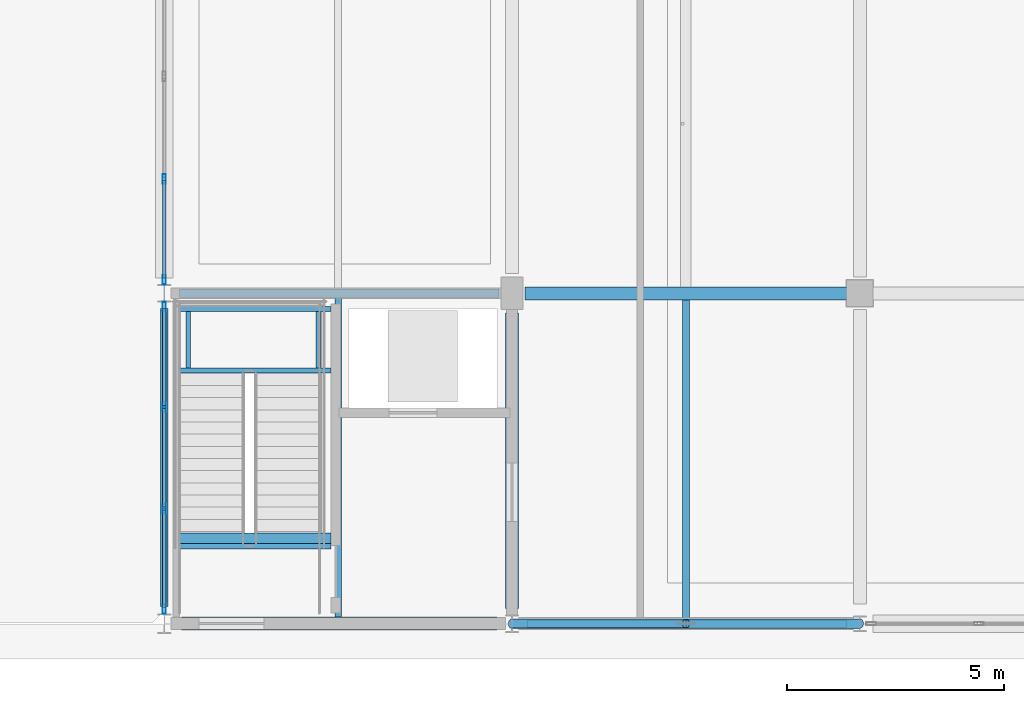
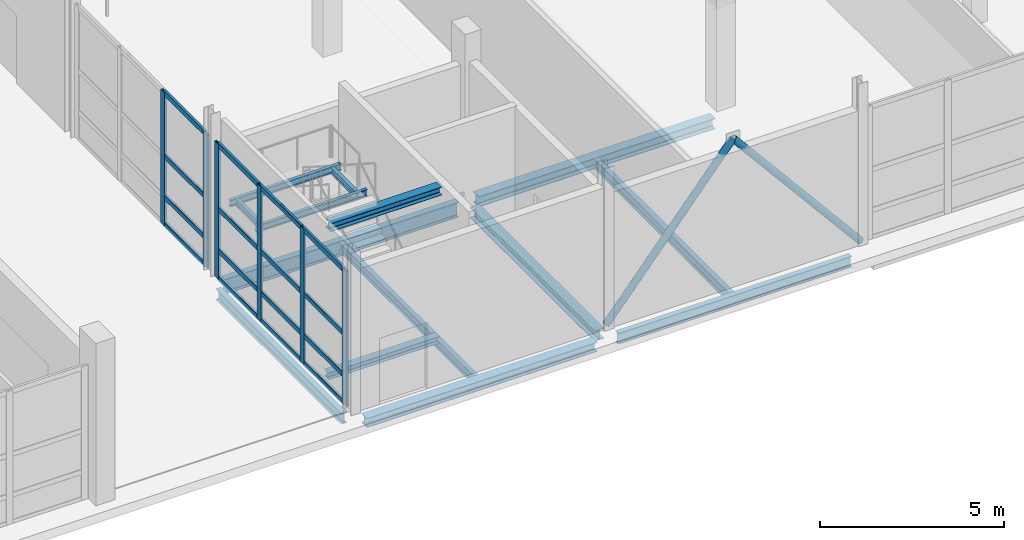
# One storey, part 30 of 126: 24 members, 14 beams, 2 elements without a shape of their own.
"""IFC4 building model written with IfcOpenShell, lengths in metres."""

from ifc_helpers import new_model, si_unit, direction, frame, origin, origin_2d, place, context, subcontext, project, spatial, hollow_rectangle, hollow_circle, i_section, extrude, material, material_profile, profile_set, type_object, element, aggregate, save


model = new_model("IFC4")

# Units and contexts
model_context = context("Model", 3, precision=1e-05, world=origin(), true_north=direction((0.0, 1.0)))
body_context = subcontext(model_context, "Body", "Model", "MODEL_VIEW")
ifc_project = project(units=[si_unit("LENGTHUNIT", "METRE"), si_unit("AREAUNIT", "SQUARE_METRE"), si_unit("VOLUMEUNIT", "CUBIC_METRE"), si_unit("PLANEANGLEUNIT", "RADIAN"), si_unit("MASSUNIT", "GRAM", prefix="KILO")], contexts=[model_context])

# Site, building, storey
site_placement = place(None, origin())
site = spatial("IfcSite", under=ifc_project, at=site_placement, CompositionType="ELEMENT")
building_placement = place(site_placement, origin())
building = spatial("IfcBuilding", under=site, at=building_placement, Name="Khelvaren Railside Concert Hall", CompositionType="ELEMENT")
storey_placement = place(building_placement, origin())
storey = spatial("IfcBuildingStorey", under=building, at=storey_placement, Name="L00", CompositionType="ELEMENT", Elevation=0.0)

# Beams
ifc_material_1 = material(Name="Steel S355", Category="steel")
ifc_material_profile_1 = material_profile(ifc_material_1, i_section(OverallWidth=0.239990234375, OverallDepth=0.22998046875, WebThickness=0.007568359375, FlangeThickness=0.011962890625, FilletRadius=0.02099609375, at=origin_2d()), Name="HEA 240")
ifc_profile_set_1 = profile_set([ifc_material_profile_1], Name="Steel S355")
beam_type_1 = type_object("IfcBeamType", Name="BM42", PredefinedType="BEAM", material=ifc_profile_set_1)
beam_1_placement = place(storey_placement, frame((144.344970703125, 1.960693359375, -0.114990234375), z_axis=(1.0, 0.0, 0.0), x_axis=(0.0, 1.0, 0.0)))
element("IfcBeam", 1, at=beam_1_placement, inside=storey, type_object=beam_type_1, Name="ST-03 L00 Stair Foot Trimmer Beam", PredefinedType="BEAM", context=body_context, shape_type="SweptSolid", body=[
    extrude(i_section(OverallWidth=0.239990234375, OverallDepth=0.22998046875, WebThickness=0.007568359375, FlangeThickness=0.011962890625, FilletRadius=0.02099609375, at=origin_2d()), origin(), (0.0, 0.0, 1.0), 3.4951171875),
])
ifc_material_profile_2 = material_profile(ifc_material_1, i_section(OverallWidth=0.199951171875, OverallDepth=0.5, WebThickness=0.01025390625, FlangeThickness=0.01611328125, FilletRadius=0.02099609375, at=origin_2d()), Name="IPE 500")
ifc_profile_set_2 = profile_set([ifc_material_profile_2], Name="Steel S355")
beam_type_2 = type_object("IfcBeamType", Name="BM62", PredefinedType="BEAM", material=ifc_profile_set_2)
beam_2_placement = place(storey_placement, frame((144.35009765625, 7.60009765625, -0.570068359375), z_axis=(1.0, 0.0, 0.0), x_axis=(0.0, 1.0, 0.0)))
element("IfcBeam", 2, at=beam_2_placement, inside=storey, type_object=beam_type_2, Name="V2 L00 Beam X2.1", PredefinedType="BEAM", context=body_context, shape_type="SweptSolid", body=[
    extrude(i_section(OverallWidth=0.199951171875, OverallDepth=0.5, WebThickness=0.01025390625, FlangeThickness=0.01611328125, FilletRadius=0.02099609375, at=origin_2d()), origin(), (0.0, 0.0, 1.0), 7.349853515625),
])
ifc_material_profile_3 = material_profile(ifc_material_1, i_section(OverallWidth=0.300048828125, OverallDepth=0.35009765625, WebThickness=0.010009765625, FlangeThickness=0.017578125, FilletRadius=0.027099609375, at=origin_2d()), Name="HEA 360")
ifc_profile_set_3 = profile_set([ifc_material_profile_3], Name="Steel S355")
beam_type_3 = type_object("IfcBeamType", Name="BM73", PredefinedType="BEAM", material=ifc_profile_set_3)
beam_3_placement = place(storey_placement, frame((152.300048828125, 7.60009765625, -0.4951171875), z_axis=(1.0, 0.0, 0.0), x_axis=(0.0, 1.0, 0.0)))
element("IfcBeam", 3, at=beam_3_placement, inside=storey, type_object=beam_type_3, Name="V2 L00 Beam X2.2", PredefinedType="BEAM", context=body_context, shape_type="SweptSolid", body=[
    extrude(i_section(OverallWidth=0.300048828125, OverallDepth=0.35009765625, WebThickness=0.010009765625, FlangeThickness=0.017578125, FilletRadius=0.027099609375, at=origin_2d()), origin(), (0.0, 0.0, 1.0), 7.449951171875),
])
beam_4_placement = place(storey_placement, frame((152.0, 0.35009765625, -0.4951171875), z_axis=(0.0, 1.0, 0.0), x_axis=(-1.0, 0.0, 0.0)))
element("IfcBeam", 4, at=beam_4_placement, inside=storey, type_object=beam_type_3, Name="V2 L00 Beam Y2.1", PredefinedType="BEAM", context=body_context, shape_type="SweptSolid", body=[
    extrude(i_section(OverallWidth=0.300048828125, OverallDepth=0.35009765625, WebThickness=0.010009765625, FlangeThickness=0.017578125, FilletRadius=0.027099609375, at=origin_2d()), origin(), (0.0, 0.0, 1.0), 6.7998046875),
])
ifc_material_profile_4 = material_profile(ifc_material_1, i_section(OverallWidth=0.110107421875, OverallDepth=0.219970703125, WebThickness=0.005859375, FlangeThickness=0.00927734375, FilletRadius=0.011962890625, at=origin_2d()), Name="IPE 220")
ifc_profile_set_4 = profile_set([ifc_material_profile_4], Name="Steel S355")
beam_type_4 = type_object("IfcBeamType", Name="BM87", PredefinedType="BEAM", material=ifc_profile_set_4)
for number, where, z_axis, x_axis, name in (
    (5, (144.344970703125, 5.824951171875, 2.389892578125), (1.0, 0.0, 0.0), (0.0, 1.0, 0.0), "ST-03 L00 Half-Landing Front Beam"),
    (6, (144.344970703125, 7.239990234375, 2.389892578125), (1.0, 0.0, 0.0), (0.0, 1.0, 0.0), "ST-03 L00 Half-Landing Rear Beam"),
):
    element("IfcBeam", number, at=place(storey_placement, frame(where, z_axis=z_axis, x_axis=x_axis)), inside=storey, type_object=beam_type_4, Name=name, PredefinedType="BEAM", context=body_context, shape_type="SweptSolid", body=[
        extrude(i_section(OverallWidth=0.110107421875, OverallDepth=0.219970703125, WebThickness=0.005859375, FlangeThickness=0.00927734375, FilletRadius=0.011962890625, at=origin_2d()), origin(), (0.0, 0.0, 1.0), 3.4951171875),
    ])
for number, where, z_axis, x_axis, name in (
    (7, (144.550048828125, 5.8798828125, 2.389892578125), (0.0, 1.0, 0.0), (-1.0, 0.0, 0.0), "ST-03 L00 Half-Landing Side Tie W"),
    (8, (147.550048828125, 5.8798828125, 2.389892578125), (0.0, 1.0, 0.0), (-1.0, 0.0, 0.0), "ST-03 L00 Half-Landing Side Tie E"),
):
    element("IfcBeam", number, at=place(storey_placement, frame(where, z_axis=z_axis, x_axis=x_axis)), inside=storey, type_object=beam_type_4, Name=name, PredefinedType="BEAM", context=body_context, shape_type="SweptSolid", body=[
        extrude(i_section(OverallWidth=0.110107421875, OverallDepth=0.219970703125, WebThickness=0.005859375, FlangeThickness=0.00927734375, FilletRadius=0.011962890625, at=origin_2d()), origin(), (0.0, 0.0, 1.0), 1.30517578125),
    ])
ifc_material_profile_5 = material_profile(ifc_material_1, i_section(OverallWidth=0.280029296875, OverallDepth=0.27001953125, WebThickness=0.008056640625, FlangeThickness=0.012939453125, FilletRadius=0.02392578125, at=origin_2d()), Name="HEA 280")
ifc_profile_set_5 = profile_set([ifc_material_profile_5], Name="Steel S355")
beam_type_5 = type_object("IfcBeamType", Name="BM93", PredefinedType="BEAM", material=ifc_profile_set_5)
beam_5_placement = place(storey_placement, frame((144.344970703125, 1.860107421875, 4.90673828125), z_axis=(1.0, 0.0, 0.0), x_axis=(0.0, 1.0, 0.0)))
element("IfcBeam", 9, at=beam_5_placement, inside=storey, type_object=beam_type_5, Name="ST-03 L00 Stair Top Arrival Trimmer Beam", PredefinedType="BEAM", context=body_context, shape_type="SweptSolid", body=[
    extrude(i_section(OverallWidth=0.280029296875, OverallDepth=0.27001953125, WebThickness=0.008056640625, FlangeThickness=0.012939453125, FilletRadius=0.02392578125, at=origin_2d()), origin(), (0.0, 0.0, 1.0), 3.4951171875),
])

# Members
ifc_material_profile_6 = material_profile(ifc_material_1, hollow_circle(Radius=0.109619140625, WallThickness=0.012451171875, at=origin_2d()), Name="CHS 219.1x12.5")
ifc_profile_set_6 = profile_set([ifc_material_profile_6], Name="Steel S355")
member_type_1 = type_object("IfcMemberType", Name="BR37", PredefinedType="BRACE", material=ifc_profile_set_6)
for number, where, z_axis, x_axis, name in (
    (10, (152.0, 0.0, 0.050048828125), (0.640180556359, 0.0, 0.768224482335), (0.0, 1.0, 0.0), "V2 L00 Seismic Chevron Brace 49"),
    (11, (160.0, 0.0, 0.050048828125), (-0.640180556359, 0.0, 0.768224482335), (0.0, -1.0, 0.0), "V2 L00 Seismic Chevron Brace 50"),
):
    element("IfcMember", number, at=place(storey_placement, frame(where, z_axis=z_axis, x_axis=x_axis)), inside=storey, type_object=member_type_1, Name=name, PredefinedType="BRACE", context=body_context, shape_type="SweptSolid", body=[
        extrude(hollow_circle(Radius=0.109619140625, WallThickness=0.012451171875, at=origin_2d()), origin(), (0.0, 0.0, 1.0), 6.248291015625),
    ])

# Curtain wall, members
ifc_material_2 = material(Name="Triple-glazed solar-control glass", Category="glass")
curtain_wall_type_1 = type_object("IfcCurtainWallType", Name="CW80", PredefinedType="USERDEFINED", material=ifc_material_2)
curtain_wall_1_placement = place(storey_placement, origin())
curtain_wall_1 = element("IfcCurtainWall", 12, at=curtain_wall_1_placement, inside=storey, type_object=curtain_wall_type_1, Name="Unitised Curtain Wall CW-V2-L00-W-0", ObjectType="UNITISED CURTAIN WALL", PredefinedType="USERDEFINED")
ifc_material_3 = material(Name="Anodised architectural aluminium 6063-T6", Category="aluminium")
ifc_material_profile_7 = material_profile(ifc_material_3, hollow_rectangle(XDim=0.074951171875, YDim=0.219970703125, WallThickness=0.0048828125, InnerFilletRadius=0.0029296875, OuterFilletRadius=0.0048828125, at=origin_2d()), Name="CWM 75x220x5")
ifc_profile_set_7 = profile_set([ifc_material_profile_7], Name="Anodised architectural aluminium 6063-T6")
member_type_2 = type_object("IfcMemberType", Name="CWM13", PredefinedType="MULLION", material=ifc_profile_set_7)
member_1_placement = place(storey_placement, frame((144.0, 0.3349609375, 0.0), z_axis=(0.0, 0.0, 1.0), x_axis=(-1.0, 0.0, 0.0)))
member_1 = element("IfcMember", 13, at=member_1_placement, type_object=member_type_2, Name="CW80 mullion 1", PredefinedType="MULLION", context=body_context, shape_type="SweptSolid", body=[
    extrude(hollow_rectangle(XDim=0.074951171875, YDim=0.219970703125, WallThickness=0.0048828125, InnerFilletRadius=0.0029296875, OuterFilletRadius=0.0048828125, at=origin_2d()), origin(), (0.0, 0.0, 1.0), 4.489990234375),
])
member_2_placement = place(storey_placement, frame((144.0, 2.640869140625, 0.0), z_axis=(0.0, 0.0, 1.0), x_axis=(-1.0, 0.0, 0.0)))
member_2 = element("IfcMember", 14, at=member_2_placement, type_object=member_type_2, Name="CW80 mullion 2", PredefinedType="MULLION", context=body_context, shape_type="SweptSolid", body=[
    extrude(hollow_rectangle(XDim=0.074951171875, YDim=0.219970703125, WallThickness=0.0048828125, InnerFilletRadius=0.0029296875, OuterFilletRadius=0.0048828125, at=origin_2d()), origin(), (0.0, 0.0, 1.0), 4.489990234375),
])
member_3_placement = place(storey_placement, frame((144.0, 4.984130859375, 0.0), z_axis=(0.0, 0.0, 1.0), x_axis=(-1.0, 0.0, 0.0)))
member_3 = element("IfcMember", 15, at=member_3_placement, type_object=member_type_2, Name="CW80 mullion 3", PredefinedType="MULLION", context=body_context, shape_type="SweptSolid", body=[
    extrude(hollow_rectangle(XDim=0.074951171875, YDim=0.219970703125, WallThickness=0.0048828125, InnerFilletRadius=0.0029296875, OuterFilletRadius=0.0048828125, at=origin_2d()), origin(), (0.0, 0.0, 1.0), 4.489990234375),
])
member_4_placement = place(storey_placement, frame((144.0, 7.2900390625, 0.0), z_axis=(0.0, 0.0, 1.0), x_axis=(-1.0, 0.0, 0.0)))
member_4 = element("IfcMember", 16, at=member_4_placement, type_object=member_type_2, Name="CW80 mullion 4", PredefinedType="MULLION", context=body_context, shape_type="SweptSolid", body=[
    extrude(hollow_rectangle(XDim=0.074951171875, YDim=0.219970703125, WallThickness=0.0048828125, InnerFilletRadius=0.0029296875, OuterFilletRadius=0.0048828125, at=origin_2d()), origin(), (0.0, 0.0, 1.0), 4.489990234375),
])

curtain_wall_type_2 = type_object("IfcCurtainWallType", Name="CW41", PredefinedType="USERDEFINED", material=ifc_material_2)
curtain_wall_2_placement = place(storey_placement, origin())
curtain_wall_2 = element("IfcCurtainWall", 17, at=curtain_wall_2_placement, inside=storey, type_object=curtain_wall_type_2, Name="Unitised Curtain Wall CW-V2-L00-W-8", ObjectType="UNITISED CURTAIN WALL", PredefinedType="USERDEFINED")
member_5_placement = place(storey_placement, frame((144.0, 7.909912109375, 0.0), z_axis=(0.0, 0.0, 1.0), x_axis=(-1.0, 0.0, 0.0)))
member_5 = element("IfcMember", 18, at=member_5_placement, type_object=member_type_2, Name="CW41 mullion 1", PredefinedType="MULLION", context=body_context, shape_type="SweptSolid", body=[
    extrude(hollow_rectangle(XDim=0.074951171875, YDim=0.219970703125, WallThickness=0.0048828125, InnerFilletRadius=0.0029296875, OuterFilletRadius=0.0048828125, at=origin_2d()), origin(), (0.0, 0.0, 1.0), 4.43994140625),
])
member_6_placement = place(storey_placement, frame((144.0, 10.230712890625, 0.0), z_axis=(0.0, 0.0, 1.0), x_axis=(-1.0, 0.0, 0.0)))
member_6 = element("IfcMember", 19, at=member_6_placement, type_object=member_type_2, Name="CW41 mullion 2", PredefinedType="MULLION", context=body_context, shape_type="SweptSolid", body=[
    extrude(hollow_rectangle(XDim=0.074951171875, YDim=0.219970703125, WallThickness=0.0048828125, InnerFilletRadius=0.0029296875, OuterFilletRadius=0.0048828125, at=origin_2d()), origin(), (0.0, 0.0, 1.0), 4.43994140625),
])

# Member
ifc_material_profile_8 = material_profile(ifc_material_3, hollow_rectangle(XDim=0.074951171875, YDim=0.1650390625, WallThickness=0.00390625, InnerFilletRadius=0.001953125, OuterFilletRadius=0.00390625, at=origin_2d()), Name="CWT 75x165x4")
ifc_profile_set_8 = profile_set([ifc_material_profile_8], Name="Anodised architectural aluminium 6063-T6")
member_type_3 = type_object("IfcMemberType", Name="CWT46", PredefinedType="USERDEFINED", material=ifc_profile_set_8)
member_7_placement = place(storey_placement, frame((144.0, 0.37255859375, 0.03759765625), z_axis=(0.0, 1.0, 0.0), x_axis=(-1.0, 0.0, 0.0)))
member_7 = element("IfcMember", 20, at=member_7_placement, type_object=member_type_3, Name="CW80 transom 1.1", ObjectType="TRANSOM", PredefinedType="USERDEFINED", context=body_context, shape_type="SweptSolid", body=[
    extrude(hollow_rectangle(XDim=0.074951171875, YDim=0.1650390625, WallThickness=0.00390625, InnerFilletRadius=0.001953125, OuterFilletRadius=0.00390625, at=origin_2d()), origin(), (0.0, 0.0, 1.0), 2.230712890625),
])

member_8_placement = place(storey_placement, frame((144.0, 0.37255859375, 0.949951171875), z_axis=(0.0, 1.0, 0.0), x_axis=(-1.0, 0.0, 0.0)))
member_8 = element("IfcMember", 21, at=member_8_placement, type_object=member_type_3, Name="CW80 transom 1.2", ObjectType="TRANSOM", PredefinedType="USERDEFINED", context=body_context, shape_type="SweptSolid", body=[
    extrude(hollow_rectangle(XDim=0.074951171875, YDim=0.1650390625, WallThickness=0.00390625, InnerFilletRadius=0.001953125, OuterFilletRadius=0.00390625, at=origin_2d()), origin(), (0.0, 0.0, 1.0), 2.230712890625),
])

member_9_placement = place(storey_placement, frame((144.0, 0.37255859375, 2.334716796875), z_axis=(0.0, 1.0, 0.0), x_axis=(-1.0, 0.0, 0.0)))
member_9 = element("IfcMember", 22, at=member_9_placement, type_object=member_type_3, Name="CW80 transom 1.3", ObjectType="TRANSOM", PredefinedType="USERDEFINED", context=body_context, shape_type="SweptSolid", body=[
    extrude(hollow_rectangle(XDim=0.074951171875, YDim=0.1650390625, WallThickness=0.00390625, InnerFilletRadius=0.001953125, OuterFilletRadius=0.00390625, at=origin_2d()), origin(), (0.0, 0.0, 1.0), 2.230712890625),
])

member_10_placement = place(storey_placement, frame((144.0, 0.37255859375, 4.452392578125), z_axis=(0.0, 1.0, 0.0), x_axis=(-1.0, 0.0, 0.0)))
member_10 = element("IfcMember", 23, at=member_10_placement, type_object=member_type_3, Name="CW80 transom 1.4", ObjectType="TRANSOM", PredefinedType="USERDEFINED", context=body_context, shape_type="SweptSolid", body=[
    extrude(hollow_rectangle(XDim=0.074951171875, YDim=0.1650390625, WallThickness=0.00390625, InnerFilletRadius=0.001953125, OuterFilletRadius=0.00390625, at=origin_2d()), origin(), (0.0, 0.0, 1.0), 2.230712890625),
])

member_11_placement = place(storey_placement, frame((144.0, 2.67822265625, 0.03759765625), z_axis=(0.0, 1.0, 0.0), x_axis=(-1.0, 0.0, 0.0)))
member_11 = element("IfcMember", 24, at=member_11_placement, type_object=member_type_3, Name="CW80 transom 2.1", ObjectType="TRANSOM", PredefinedType="USERDEFINED", context=body_context, shape_type="SweptSolid", body=[
    extrude(hollow_rectangle(XDim=0.074951171875, YDim=0.1650390625, WallThickness=0.00390625, InnerFilletRadius=0.001953125, OuterFilletRadius=0.00390625, at=origin_2d()), origin(), (0.0, 0.0, 1.0), 2.2685546875),
])

member_12_placement = place(storey_placement, frame((144.0, 2.67822265625, 0.949951171875), z_axis=(0.0, 1.0, 0.0), x_axis=(-1.0, 0.0, 0.0)))
member_12 = element("IfcMember", 25, at=member_12_placement, type_object=member_type_3, Name="CW80 transom 2.2", ObjectType="TRANSOM", PredefinedType="USERDEFINED", context=body_context, shape_type="SweptSolid", body=[
    extrude(hollow_rectangle(XDim=0.074951171875, YDim=0.1650390625, WallThickness=0.00390625, InnerFilletRadius=0.001953125, OuterFilletRadius=0.00390625, at=origin_2d()), origin(), (0.0, 0.0, 1.0), 2.2685546875),
])

member_13_placement = place(storey_placement, frame((144.0, 2.67822265625, 2.334716796875), z_axis=(0.0, 1.0, 0.0), x_axis=(-1.0, 0.0, 0.0)))
member_13 = element("IfcMember", 26, at=member_13_placement, type_object=member_type_3, Name="CW80 transom 2.3", ObjectType="TRANSOM", PredefinedType="USERDEFINED", context=body_context, shape_type="SweptSolid", body=[
    extrude(hollow_rectangle(XDim=0.074951171875, YDim=0.1650390625, WallThickness=0.00390625, InnerFilletRadius=0.001953125, OuterFilletRadius=0.00390625, at=origin_2d()), origin(), (0.0, 0.0, 1.0), 2.2685546875),
])

member_14_placement = place(storey_placement, frame((144.0, 2.67822265625, 4.452392578125), z_axis=(0.0, 1.0, 0.0), x_axis=(-1.0, 0.0, 0.0)))
member_14 = element("IfcMember", 27, at=member_14_placement, type_object=member_type_3, Name="CW80 transom 2.4", ObjectType="TRANSOM", PredefinedType="USERDEFINED", context=body_context, shape_type="SweptSolid", body=[
    extrude(hollow_rectangle(XDim=0.074951171875, YDim=0.1650390625, WallThickness=0.00390625, InnerFilletRadius=0.001953125, OuterFilletRadius=0.00390625, at=origin_2d()), origin(), (0.0, 0.0, 1.0), 2.2685546875),
])

member_15_placement = place(storey_placement, frame((144.0, 5.021728515625, 0.03759765625), z_axis=(0.0, 1.0, 0.0), x_axis=(-1.0, 0.0, 0.0)))
member_15 = element("IfcMember", 28, at=member_15_placement, type_object=member_type_3, Name="CW80 transom 3.1", ObjectType="TRANSOM", PredefinedType="USERDEFINED", context=body_context, shape_type="SweptSolid", body=[
    extrude(hollow_rectangle(XDim=0.074951171875, YDim=0.1650390625, WallThickness=0.00390625, InnerFilletRadius=0.001953125, OuterFilletRadius=0.00390625, at=origin_2d()), origin(), (0.0, 0.0, 1.0), 2.230712890625),
])

member_16_placement = place(storey_placement, frame((144.0, 5.021728515625, 0.949951171875), z_axis=(0.0, 1.0, 0.0), x_axis=(-1.0, 0.0, 0.0)))
member_16 = element("IfcMember", 29, at=member_16_placement, type_object=member_type_3, Name="CW80 transom 3.2", ObjectType="TRANSOM", PredefinedType="USERDEFINED", context=body_context, shape_type="SweptSolid", body=[
    extrude(hollow_rectangle(XDim=0.074951171875, YDim=0.1650390625, WallThickness=0.00390625, InnerFilletRadius=0.001953125, OuterFilletRadius=0.00390625, at=origin_2d()), origin(), (0.0, 0.0, 1.0), 2.230712890625),
])

member_17_placement = place(storey_placement, frame((144.0, 5.021728515625, 2.334716796875), z_axis=(0.0, 1.0, 0.0), x_axis=(-1.0, 0.0, 0.0)))
member_17 = element("IfcMember", 30, at=member_17_placement, type_object=member_type_3, Name="CW80 transom 3.3", ObjectType="TRANSOM", PredefinedType="USERDEFINED", context=body_context, shape_type="SweptSolid", body=[
    extrude(hollow_rectangle(XDim=0.074951171875, YDim=0.1650390625, WallThickness=0.00390625, InnerFilletRadius=0.001953125, OuterFilletRadius=0.00390625, at=origin_2d()), origin(), (0.0, 0.0, 1.0), 2.230712890625),
])

member_18_placement = place(storey_placement, frame((144.0, 5.021728515625, 4.452392578125), z_axis=(0.0, 1.0, 0.0), x_axis=(-1.0, 0.0, 0.0)))
member_18 = element("IfcMember", 31, at=member_18_placement, type_object=member_type_3, Name="CW80 transom 3.4", ObjectType="TRANSOM", PredefinedType="USERDEFINED", context=body_context, shape_type="SweptSolid", body=[
    extrude(hollow_rectangle(XDim=0.074951171875, YDim=0.1650390625, WallThickness=0.00390625, InnerFilletRadius=0.001953125, OuterFilletRadius=0.00390625, at=origin_2d()), origin(), (0.0, 0.0, 1.0), 2.230712890625),
])

aggregate(curtain_wall_1, [member_1, member_2, member_3, member_4, member_7, member_8, member_9, member_10, member_11, member_12, member_13, member_14, member_15, member_16, member_17, member_18])

member_19_placement = place(storey_placement, frame((144.0, 7.947509765625, 0.03759765625), z_axis=(0.0, 1.0, 0.0), x_axis=(-1.0, 0.0, 0.0)))
member_19 = element("IfcMember", 32, at=member_19_placement, type_object=member_type_3, Name="CW41 transom 1.1", ObjectType="TRANSOM", PredefinedType="USERDEFINED", context=body_context, shape_type="SweptSolid", body=[
    extrude(hollow_rectangle(XDim=0.074951171875, YDim=0.1650390625, WallThickness=0.00390625, InnerFilletRadius=0.001953125, OuterFilletRadius=0.00390625, at=origin_2d()), origin(), (0.0, 0.0, 1.0), 2.245849609375),
])

member_20_placement = place(storey_placement, frame((144.0, 7.947509765625, 0.949951171875), z_axis=(0.0, 1.0, 0.0), x_axis=(-1.0, 0.0, 0.0)))
member_20 = element("IfcMember", 33, at=member_20_placement, type_object=member_type_3, Name="CW41 transom 1.2", ObjectType="TRANSOM", PredefinedType="USERDEFINED", context=body_context, shape_type="SweptSolid", body=[
    extrude(hollow_rectangle(XDim=0.074951171875, YDim=0.1650390625, WallThickness=0.00390625, InnerFilletRadius=0.001953125, OuterFilletRadius=0.00390625, at=origin_2d()), origin(), (0.0, 0.0, 1.0), 2.245849609375),
])

member_21_placement = place(storey_placement, frame((144.0, 7.947509765625, 2.308837890625), z_axis=(0.0, 1.0, 0.0), x_axis=(-1.0, 0.0, 0.0)))
member_21 = element("IfcMember", 34, at=member_21_placement, type_object=member_type_3, Name="CW41 transom 1.3", ObjectType="TRANSOM", PredefinedType="USERDEFINED", context=body_context, shape_type="SweptSolid", body=[
    extrude(hollow_rectangle(XDim=0.074951171875, YDim=0.1650390625, WallThickness=0.00390625, InnerFilletRadius=0.001953125, OuterFilletRadius=0.00390625, at=origin_2d()), origin(), (0.0, 0.0, 1.0), 2.245849609375),
])

member_22_placement = place(storey_placement, frame((144.0, 7.947509765625, 4.402587890625), z_axis=(0.0, 1.0, 0.0), x_axis=(-1.0, 0.0, 0.0)))
member_22 = element("IfcMember", 35, at=member_22_placement, type_object=member_type_3, Name="CW41 transom 1.4", ObjectType="TRANSOM", PredefinedType="USERDEFINED", context=body_context, shape_type="SweptSolid", body=[
    extrude(hollow_rectangle(XDim=0.074951171875, YDim=0.1650390625, WallThickness=0.00390625, InnerFilletRadius=0.001953125, OuterFilletRadius=0.00390625, at=origin_2d()), origin(), (0.0, 0.0, 1.0), 2.245849609375),
])

aggregate(curtain_wall_2, [member_5, member_6, member_19, member_20, member_21, member_22])

# Beams
ifc_material_profile_9 = material_profile(ifc_material_1, i_section(OverallWidth=0.14990234375, OverallDepth=0.300048828125, WebThickness=0.007080078125, FlangeThickness=0.0107421875, FilletRadius=0.014892578125, at=origin_2d()), Name="IPE 300")
ifc_profile_set_9 = profile_set([ifc_material_profile_9], Name="Steel S355")
beam_type_6 = type_object("IfcBeamType", Name="JS26", PredefinedType="JOIST", material=ifc_profile_set_9)
beam_6_placement = place(storey_placement, frame((148.0, 0.14990234375, -0.469970703125), z_axis=(0.0, 1.0, 0.0), x_axis=(-1.0, 0.0, 0.0)))
element("IfcBeam", 36, at=beam_6_placement, inside=storey, type_object=beam_type_6, Name="V2 L00 Secondary Joist 1.1", PredefinedType="JOIST", context=body_context, shape_type="SweptSolid", body=[
    extrude(i_section(OverallWidth=0.14990234375, OverallDepth=0.300048828125, WebThickness=0.007080078125, FlangeThickness=0.0107421875, FilletRadius=0.014892578125, at=origin_2d()), origin(), (0.0, 0.0, 1.0), 7.35009765625),
])
ifc_material_profile_10 = material_profile(ifc_material_1, i_section(OverallWidth=0.159912109375, OverallDepth=0.330078125, WebThickness=0.007568359375, FlangeThickness=0.011474609375, FilletRadius=0.01806640625, at=origin_2d()), Name="IPE 330")
ifc_profile_set_10 = profile_set([ifc_material_profile_10], Name="Steel S355")
beam_type_7 = type_object("IfcBeamType", Name="JS65", PredefinedType="JOIST", material=ifc_profile_set_10)
beam_7_placement = place(storey_placement, frame((156.0, 0.0849609375, -0.485107421875), z_axis=(0.0, 1.0, 0.0), x_axis=(-1.0, 0.0, 0.0)))
element("IfcBeam", 37, at=beam_7_placement, inside=storey, type_object=beam_type_7, Name="V2 L00 Secondary Joist 2.1", PredefinedType="JOIST", context=body_context, shape_type="SweptSolid", body=[
    extrude(i_section(OverallWidth=0.159912109375, OverallDepth=0.330078125, WebThickness=0.007568359375, FlangeThickness=0.011474609375, FilletRadius=0.01806640625, at=origin_2d()), origin(), (0.0, 0.0, 1.0), 7.364990234375),
])
ifc_material_profile_11 = material_profile(ifc_material_1, i_section(OverallWidth=0.300048828125, OverallDepth=0.31005859375, WebThickness=0.009033203125, FlangeThickness=0.015380859375, FilletRadius=0.027099609375, at=origin_2d()), Name="HEA 320")
ifc_profile_set_11 = profile_set([ifc_material_profile_11], Name="Steel S355")
beam_type_8 = type_object("IfcBeamType", Name="SP66", PredefinedType="SPANDREL", material=ifc_profile_set_11)
beam_8_placement = place(storey_placement, frame((144.39990234375, 0.0, -0.47509765625), z_axis=(1.0, 0.0, 0.0), x_axis=(0.0, 1.0, 0.0)))
element("IfcBeam", 38, at=beam_8_placement, inside=storey, type_object=beam_type_8, Name="V2 L00 Spandrel X1.1", PredefinedType="SPANDREL", context=body_context, shape_type="SweptSolid", body=[
    extrude(i_section(OverallWidth=0.300048828125, OverallDepth=0.31005859375, WebThickness=0.009033203125, FlangeThickness=0.015380859375, FilletRadius=0.027099609375, at=origin_2d()), origin(), (0.0, 0.0, 1.0), 7.25),
])
ifc_material_profile_12 = material_profile(ifc_material_1, i_section(OverallWidth=0.169921875, OverallDepth=0.360107421875, WebThickness=0.008056640625, FlangeThickness=0.0126953125, FilletRadius=0.01806640625, at=origin_2d()), Name="IPE 360")
ifc_profile_set_12 = profile_set([ifc_material_profile_12], Name="Steel S355")
beam_type_9 = type_object("IfcBeamType", Name="SP74", PredefinedType="SPANDREL", material=ifc_profile_set_12)
beam_9_placement = place(storey_placement, frame((152.35009765625, 0.0, -0.5), z_axis=(1.0, 0.0, 0.0), x_axis=(0.0, 1.0, 0.0)))
element("IfcBeam", 39, at=beam_9_placement, inside=storey, type_object=beam_type_9, Name="V2 L00 Spandrel X1.2", PredefinedType="SPANDREL", context=body_context, shape_type="SweptSolid", body=[
    extrude(i_section(OverallWidth=0.169921875, OverallDepth=0.360107421875, WebThickness=0.008056640625, FlangeThickness=0.0126953125, FilletRadius=0.01806640625, at=origin_2d()), origin(), (0.0, 0.0, 1.0), 7.349853515625),
])
beam_10_placement = place(storey_placement, frame((144.0, 0.39990234375, -0.5), z_axis=(0.0, 1.0, 0.0), x_axis=(-1.0, 0.0, 0.0)))
element("IfcBeam", 40, at=beam_10_placement, inside=storey, type_object=beam_type_9, Name="V2 L00 Spandrel Y1.1", PredefinedType="SPANDREL", context=body_context, shape_type="SweptSolid", body=[
    extrude(i_section(OverallWidth=0.169921875, OverallDepth=0.360107421875, WebThickness=0.008056640625, FlangeThickness=0.0126953125, FilletRadius=0.01806640625, at=origin_2d()), origin(), (0.0, 0.0, 1.0), 6.85009765625),
])

save(model, "model.ifc")
